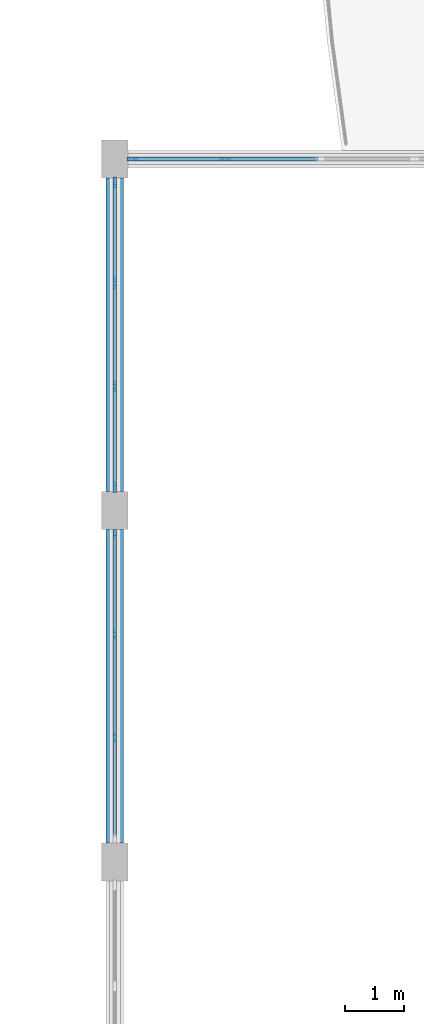
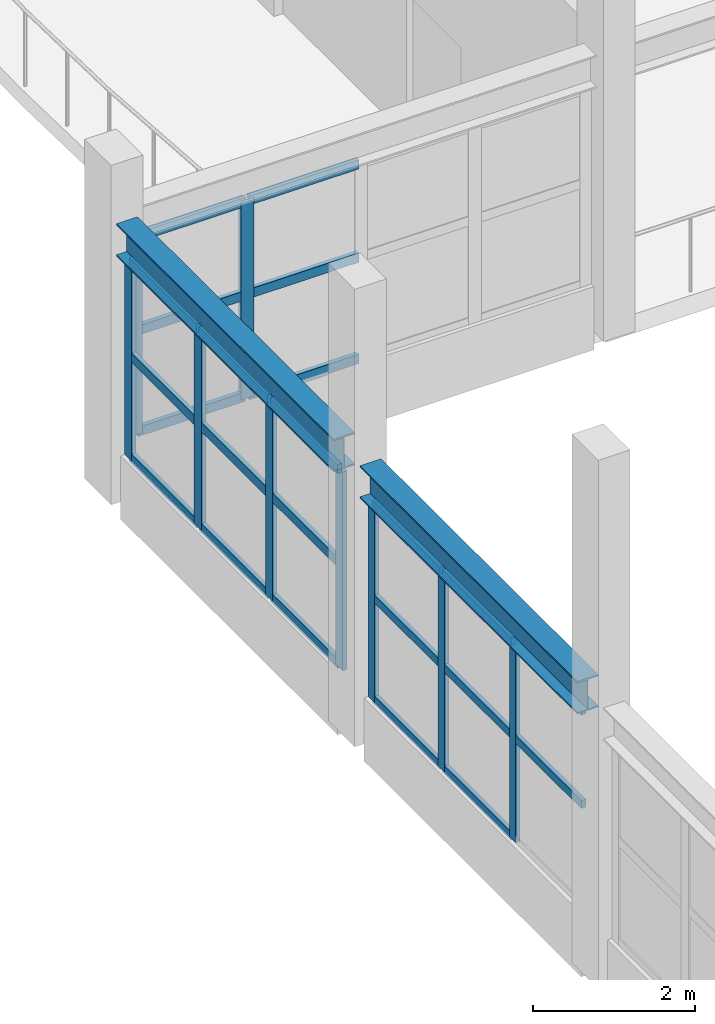
# One storey, part 13 of 89: 32 members, 2 beams, 3 elements without a shape of their own.
"""IFC4 building model written with IfcOpenShell, lengths in metres."""

from ifc_helpers import new_model, si_unit, direction, frame, origin, origin_2d, place, context, subcontext, project, spatial, rectangle, i_section, extrude, material, layer, layer_set, material_profile, profile_set, type_object, element, aggregate, save


model = new_model("IFC4")

# Units and contexts
model_context = context("Model", 3, precision=1e-05, world=origin(), true_north=direction((0.0, 1.0)))
body_context = subcontext(model_context, "Body", "Model", "MODEL_VIEW")
ifc_project = project(units=[si_unit("LENGTHUNIT", "METRE"), si_unit("AREAUNIT", "SQUARE_METRE"), si_unit("VOLUMEUNIT", "CUBIC_METRE"), si_unit("PLANEANGLEUNIT", "RADIAN"), si_unit("MASSUNIT", "GRAM", prefix="KILO")], contexts=[model_context])

# Site, building, storey
site_placement = place(None, origin())
site = spatial("IfcSite", under=ifc_project, at=site_placement, CompositionType="ELEMENT")
building_placement = place(site_placement, origin())
building = spatial("IfcBuilding", under=site, at=building_placement, Name="Tonlespit Floodbar School", CompositionType="ELEMENT")
storey_placement = place(building_placement, frame((0.0, 0.0, 4.5)))
storey = spatial("IfcBuildingStorey", under=building, at=storey_placement, Name="L01", CompositionType="ELEMENT", Elevation=4.5)

# Curtain wall, members
ifc_material_1 = material(Name="Anodised Aluminium", Category="aluminium")
ifc_layer_1 = layer(ifc_material_1, 0.159912109375)
ifc_layer_set_1 = layer_set([ifc_layer_1], Name="Anodised Aluminium")
curtain_wall_type_1 = type_object("IfcCurtainWallType", Name="CurtainWall_5250x3000", PredefinedType="NOTDEFINED", material=ifc_layer_set_1)
curtain_wall_1_placement = place(storey_placement, origin())
curtain_wall_1 = element("IfcCurtainWall", 1, at=curtain_wall_1_placement, inside=storey, type_object=curtain_wall_type_1, Name="L01 unitised curtain wall 0322", PredefinedType="NOTDEFINED")
ifc_material_profile_1 = material_profile(ifc_material_1, rectangle(XDim=0.06494140625, YDim=0.14990234375, at=origin_2d()), Name="ALU M65x150")
ifc_profile_set_1 = profile_set([ifc_material_profile_1], Name="Anodised Aluminium")
member_type_1 = type_object("IfcMemberType", Name="CW_Mullion_65x150", PredefinedType="MULLION", material=ifc_profile_set_1)
member_1_placement = place(storey_placement, frame((127.0, 46.12158203125, 0.68994140625), z_axis=(0.0, 0.0, 1.0), x_axis=(-1.0, 0.0, 0.0)))
member_1 = element("IfcMember", 2, at=member_1_placement, type_object=member_type_1, Name="CW-50 mullion 2", PredefinedType="MULLION", context=body_context, shape_type="SweptSolid", body=[
    extrude(rectangle(XDim=0.06494140625, YDim=0.14990234375, at=origin_2d()), origin(), (0.0, 0.0, 1.0), 2.989990234375),
])
member_2_placement = place(storey_placement, frame((127.0, 47.87841796875, 0.68994140625), z_axis=(0.0, 0.0, 1.0), x_axis=(-1.0, 0.0, 0.0)))
member_2 = element("IfcMember", 3, at=member_2_placement, type_object=member_type_1, Name="CW-50 mullion 3", PredefinedType="MULLION", context=body_context, shape_type="SweptSolid", body=[
    extrude(rectangle(XDim=0.06494140625, YDim=0.14990234375, at=origin_2d()), origin(), (0.0, 0.0, 1.0), 2.989990234375),
])
member_3_placement = place(storey_placement, frame((127.0, 49.6025390625, 0.68994140625), z_axis=(0.0, 0.0, 1.0), x_axis=(-1.0, 0.0, 0.0)))
member_3 = element("IfcMember", 4, at=member_3_placement, type_object=member_type_1, Name="CW-50 mullion 4", PredefinedType="MULLION", context=body_context, shape_type="SweptSolid", body=[
    extrude(rectangle(XDim=0.06494140625, YDim=0.14990234375, at=origin_2d()), origin(), (0.0, 0.0, 1.0), 2.989990234375),
])

curtain_wall_2_placement = place(storey_placement, origin())
curtain_wall_2 = element("IfcCurtainWall", 5, at=curtain_wall_2_placement, inside=storey, type_object=curtain_wall_type_1, Name="L01 unitised curtain wall 0323", PredefinedType="NOTDEFINED")
ifc_material_profile_2 = material_profile(ifc_material_1, rectangle(XDim=0.06494140625, YDim=0.179931640625, at=origin_2d()), Name="ALU M65x180")
ifc_profile_set_2 = profile_set([ifc_material_profile_2], Name="Anodised Aluminium")
member_type_2 = type_object("IfcMemberType", Name="CW_Mullion_65x180", PredefinedType="MULLION", material=ifc_profile_set_2)
member_4_placement = place(storey_placement, frame((127.0, 50.3974609375, 0.68994140625), z_axis=(0.0, 0.0, 1.0), x_axis=(-1.0, 0.0, 0.0)))
member_4 = element("IfcMember", 6, at=member_4_placement, type_object=member_type_2, Name="CW-50 mullion 1", PredefinedType="MULLION", context=body_context, shape_type="SweptSolid", body=[
    extrude(rectangle(XDim=0.06494140625, YDim=0.179931640625, at=origin_2d()), origin(), (0.0, 0.0, 1.0), 2.989990234375),
])
member_5_placement = place(storey_placement, frame((127.0, 52.12158203125, 0.68994140625), z_axis=(0.0, 0.0, 1.0), x_axis=(-1.0, 0.0, 0.0)))
member_5 = element("IfcMember", 7, at=member_5_placement, type_object=member_type_2, Name="CW-50 mullion 2", PredefinedType="MULLION", context=body_context, shape_type="SweptSolid", body=[
    extrude(rectangle(XDim=0.06494140625, YDim=0.179931640625, at=origin_2d()), origin(), (0.0, 0.0, 1.0), 2.989990234375),
])
member_6_placement = place(storey_placement, frame((127.0, 53.87841796875, 0.68994140625), z_axis=(0.0, 0.0, 1.0), x_axis=(-1.0, 0.0, 0.0)))
member_6 = element("IfcMember", 8, at=member_6_placement, type_object=member_type_2, Name="CW-50 mullion 3", PredefinedType="MULLION", context=body_context, shape_type="SweptSolid", body=[
    extrude(rectangle(XDim=0.06494140625, YDim=0.179931640625, at=origin_2d()), origin(), (0.0, 0.0, 1.0), 2.989990234375),
])
member_7_placement = place(storey_placement, frame((127.0, 55.6025390625, 0.68994140625), z_axis=(0.0, 0.0, 1.0), x_axis=(-1.0, 0.0, 0.0)))
member_7 = element("IfcMember", 9, at=member_7_placement, type_object=member_type_2, Name="CW-50 mullion 4", PredefinedType="MULLION", context=body_context, shape_type="SweptSolid", body=[
    extrude(rectangle(XDim=0.06494140625, YDim=0.179931640625, at=origin_2d()), origin(), (0.0, 0.0, 1.0), 2.989990234375),
])

ifc_layer_2 = layer(ifc_material_1, 0.159912109375)
ifc_layer_set_2 = layer_set([ifc_layer_2], Name="Anodised Aluminium")
curtain_wall_type_2 = type_object("IfcCurtainWallType", Name="CurtainWall_6450x3000", PredefinedType="NOTDEFINED", material=ifc_layer_set_2)
curtain_wall_3_placement = place(storey_placement, origin())
curtain_wall_3 = element("IfcCurtainWall", 10, at=curtain_wall_3_placement, inside=storey, type_object=curtain_wall_type_2, Name="L01 unitised curtain wall 0331", PredefinedType="NOTDEFINED")
member_8_placement = place(storey_placement, frame((127.297607421875, 56.0, 0.68994140625), z_axis=(0.0, 0.0, 1.0), x_axis=(0.0, 1.0, 0.0)))
member_8 = element("IfcMember", 11, at=member_8_placement, type_object=member_type_2, Name="CW-49 mullion 1", PredefinedType="MULLION", context=body_context, shape_type="SweptSolid", body=[
    extrude(rectangle(XDim=0.06494140625, YDim=0.179931640625, at=origin_2d()), origin(), (0.0, 0.0, 1.0), 2.989990234375),
])
member_9_placement = place(storey_placement, frame((128.882568359375, 56.0, 0.68994140625), z_axis=(0.0, 0.0, 1.0), x_axis=(0.0, 1.0, 0.0)))
member_9 = element("IfcMember", 12, at=member_9_placement, type_object=member_type_2, Name="CW-49 mullion 2", PredefinedType="MULLION", context=body_context, shape_type="SweptSolid", body=[
    extrude(rectangle(XDim=0.06494140625, YDim=0.179931640625, at=origin_2d()), origin(), (0.0, 0.0, 1.0), 2.989990234375),
])

# Member
ifc_material_profile_3 = material_profile(ifc_material_1, rectangle(XDim=0.06494140625, YDim=0.1201171875, at=origin_2d()), Name="ALU T65x120")
ifc_profile_set_3 = profile_set([ifc_material_profile_3], Name="Anodised Aluminium")
member_type_3 = type_object("IfcMemberType", Name="CW_Transom_65x120", PredefinedType="USERDEFINED", material=ifc_profile_set_3)
member_10_placement = place(storey_placement, frame((127.0, 44.429931640625, 2.244873046875), z_axis=(0.0, 1.0, 0.0), x_axis=(-1.0, 0.0, 0.0)))
member_10 = element("IfcMember", 13, at=member_10_placement, type_object=member_type_3, Name="CW-50 transom 1.2", ObjectType="TRANSOM", PredefinedType="USERDEFINED", context=body_context, shape_type="SweptSolid", body=[
    extrude(rectangle(XDim=0.06494140625, YDim=0.1201171875, at=origin_2d()), origin(), (0.0, 0.0, 1.0), 1.6591796875),
])

member_11_placement = place(storey_placement, frame((127.0, 44.429931640625, 3.6474609375), z_axis=(0.0, 1.0, 0.0), x_axis=(-1.0, 0.0, 0.0)))
member_11 = element("IfcMember", 14, at=member_11_placement, type_object=member_type_3, Name="CW-50 transom 1.3", ObjectType="TRANSOM", PredefinedType="USERDEFINED", context=body_context, shape_type="SweptSolid", body=[
    extrude(rectangle(XDim=0.06494140625, YDim=0.1201171875, at=origin_2d()), origin(), (0.0, 0.0, 1.0), 1.6591796875),
])

member_12_placement = place(storey_placement, frame((127.0, 46.154052734375, 0.722412109375), z_axis=(0.0, 1.0, 0.0), x_axis=(-1.0, 0.0, 0.0)))
member_12 = element("IfcMember", 15, at=member_12_placement, type_object=member_type_3, Name="CW-50 transom 2.1", ObjectType="TRANSOM", PredefinedType="USERDEFINED", context=body_context, shape_type="SweptSolid", body=[
    extrude(rectangle(XDim=0.06494140625, YDim=0.1201171875, at=origin_2d()), origin(), (0.0, 0.0, 1.0), 1.69189453125),
])

member_13_placement = place(storey_placement, frame((127.0, 46.154052734375, 2.244873046875), z_axis=(0.0, 1.0, 0.0), x_axis=(-1.0, 0.0, 0.0)))
member_13 = element("IfcMember", 16, at=member_13_placement, type_object=member_type_3, Name="CW-50 transom 2.2", ObjectType="TRANSOM", PredefinedType="USERDEFINED", context=body_context, shape_type="SweptSolid", body=[
    extrude(rectangle(XDim=0.06494140625, YDim=0.1201171875, at=origin_2d()), origin(), (0.0, 0.0, 1.0), 1.69189453125),
])

member_14_placement = place(storey_placement, frame((127.0, 46.154052734375, 3.6474609375), z_axis=(0.0, 1.0, 0.0), x_axis=(-1.0, 0.0, 0.0)))
member_14 = element("IfcMember", 17, at=member_14_placement, type_object=member_type_3, Name="CW-50 transom 2.3", ObjectType="TRANSOM", PredefinedType="USERDEFINED", context=body_context, shape_type="SweptSolid", body=[
    extrude(rectangle(XDim=0.06494140625, YDim=0.1201171875, at=origin_2d()), origin(), (0.0, 0.0, 1.0), 1.69189453125),
])

member_15_placement = place(storey_placement, frame((127.0, 47.910888671875, 0.722412109375), z_axis=(0.0, 1.0, 0.0), x_axis=(-1.0, 0.0, 0.0)))
member_15 = element("IfcMember", 18, at=member_15_placement, type_object=member_type_3, Name="CW-50 transom 3.1", ObjectType="TRANSOM", PredefinedType="USERDEFINED", context=body_context, shape_type="SweptSolid", body=[
    extrude(rectangle(XDim=0.06494140625, YDim=0.1201171875, at=origin_2d()), origin(), (0.0, 0.0, 1.0), 1.6591796875),
])

member_16_placement = place(storey_placement, frame((127.0, 47.910888671875, 2.244873046875), z_axis=(0.0, 1.0, 0.0), x_axis=(-1.0, 0.0, 0.0)))
member_16 = element("IfcMember", 19, at=member_16_placement, type_object=member_type_3, Name="CW-50 transom 3.2", ObjectType="TRANSOM", PredefinedType="USERDEFINED", context=body_context, shape_type="SweptSolid", body=[
    extrude(rectangle(XDim=0.06494140625, YDim=0.1201171875, at=origin_2d()), origin(), (0.0, 0.0, 1.0), 1.6591796875),
])

member_17_placement = place(storey_placement, frame((127.0, 47.910888671875, 3.6474609375), z_axis=(0.0, 1.0, 0.0), x_axis=(-1.0, 0.0, 0.0)))
member_17 = element("IfcMember", 20, at=member_17_placement, type_object=member_type_3, Name="CW-50 transom 3.3", ObjectType="TRANSOM", PredefinedType="USERDEFINED", context=body_context, shape_type="SweptSolid", body=[
    extrude(rectangle(XDim=0.06494140625, YDim=0.1201171875, at=origin_2d()), origin(), (0.0, 0.0, 1.0), 1.6591796875),
])

aggregate(curtain_wall_1, [member_1, member_2, member_3, member_10, member_11, member_12, member_13, member_14, member_15, member_16, member_17])

ifc_material_profile_4 = material_profile(ifc_material_1, rectangle(XDim=0.06494140625, YDim=0.139892578125, at=origin_2d()), Name="ALU T65x140")
ifc_profile_set_4 = profile_set([ifc_material_profile_4], Name="Anodised Aluminium")
member_type_4 = type_object("IfcMemberType", Name="CW_Transom_65x140", PredefinedType="USERDEFINED", material=ifc_profile_set_4)
member_18_placement = place(storey_placement, frame((127.0, 50.429931640625, 0.722412109375), z_axis=(0.0, 1.0, 0.0), x_axis=(-1.0, 0.0, 0.0)))
member_18 = element("IfcMember", 21, at=member_18_placement, type_object=member_type_4, Name="CW-50 transom 1.1", ObjectType="TRANSOM", PredefinedType="USERDEFINED", context=body_context, shape_type="SweptSolid", body=[
    extrude(rectangle(XDim=0.06494140625, YDim=0.139892578125, at=origin_2d()), origin(), (0.0, 0.0, 1.0), 1.6591796875),
])

member_19_placement = place(storey_placement, frame((127.0, 50.429931640625, 2.244873046875), z_axis=(0.0, 1.0, 0.0), x_axis=(-1.0, 0.0, 0.0)))
member_19 = element("IfcMember", 22, at=member_19_placement, type_object=member_type_4, Name="CW-50 transom 1.2", ObjectType="TRANSOM", PredefinedType="USERDEFINED", context=body_context, shape_type="SweptSolid", body=[
    extrude(rectangle(XDim=0.06494140625, YDim=0.139892578125, at=origin_2d()), origin(), (0.0, 0.0, 1.0), 1.6591796875),
])

member_20_placement = place(storey_placement, frame((127.0, 50.429931640625, 3.6474609375), z_axis=(0.0, 1.0, 0.0), x_axis=(-1.0, 0.0, 0.0)))
member_20 = element("IfcMember", 23, at=member_20_placement, type_object=member_type_4, Name="CW-50 transom 1.3", ObjectType="TRANSOM", PredefinedType="USERDEFINED", context=body_context, shape_type="SweptSolid", body=[
    extrude(rectangle(XDim=0.06494140625, YDim=0.139892578125, at=origin_2d()), origin(), (0.0, 0.0, 1.0), 1.6591796875),
])

member_21_placement = place(storey_placement, frame((127.0, 52.154052734375, 0.722412109375), z_axis=(0.0, 1.0, 0.0), x_axis=(-1.0, 0.0, 0.0)))
member_21 = element("IfcMember", 24, at=member_21_placement, type_object=member_type_4, Name="CW-50 transom 2.1", ObjectType="TRANSOM", PredefinedType="USERDEFINED", context=body_context, shape_type="SweptSolid", body=[
    extrude(rectangle(XDim=0.06494140625, YDim=0.139892578125, at=origin_2d()), origin(), (0.0, 0.0, 1.0), 1.69189453125),
])

member_22_placement = place(storey_placement, frame((127.0, 52.154052734375, 2.244873046875), z_axis=(0.0, 1.0, 0.0), x_axis=(-1.0, 0.0, 0.0)))
member_22 = element("IfcMember", 25, at=member_22_placement, type_object=member_type_4, Name="CW-50 transom 2.2", ObjectType="TRANSOM", PredefinedType="USERDEFINED", context=body_context, shape_type="SweptSolid", body=[
    extrude(rectangle(XDim=0.06494140625, YDim=0.139892578125, at=origin_2d()), origin(), (0.0, 0.0, 1.0), 1.69189453125),
])

member_23_placement = place(storey_placement, frame((127.0, 52.154052734375, 3.6474609375), z_axis=(0.0, 1.0, 0.0), x_axis=(-1.0, 0.0, 0.0)))
member_23 = element("IfcMember", 26, at=member_23_placement, type_object=member_type_4, Name="CW-50 transom 2.3", ObjectType="TRANSOM", PredefinedType="USERDEFINED", context=body_context, shape_type="SweptSolid", body=[
    extrude(rectangle(XDim=0.06494140625, YDim=0.139892578125, at=origin_2d()), origin(), (0.0, 0.0, 1.0), 1.69189453125),
])

member_24_placement = place(storey_placement, frame((127.0, 53.910888671875, 0.722412109375), z_axis=(0.0, 1.0, 0.0), x_axis=(-1.0, 0.0, 0.0)))
member_24 = element("IfcMember", 27, at=member_24_placement, type_object=member_type_4, Name="CW-50 transom 3.1", ObjectType="TRANSOM", PredefinedType="USERDEFINED", context=body_context, shape_type="SweptSolid", body=[
    extrude(rectangle(XDim=0.06494140625, YDim=0.139892578125, at=origin_2d()), origin(), (0.0, 0.0, 1.0), 1.6591796875),
])

member_25_placement = place(storey_placement, frame((127.0, 53.910888671875, 2.244873046875), z_axis=(0.0, 1.0, 0.0), x_axis=(-1.0, 0.0, 0.0)))
member_25 = element("IfcMember", 28, at=member_25_placement, type_object=member_type_4, Name="CW-50 transom 3.2", ObjectType="TRANSOM", PredefinedType="USERDEFINED", context=body_context, shape_type="SweptSolid", body=[
    extrude(rectangle(XDim=0.06494140625, YDim=0.139892578125, at=origin_2d()), origin(), (0.0, 0.0, 1.0), 1.6591796875),
])

member_26_placement = place(storey_placement, frame((127.0, 53.910888671875, 3.6474609375), z_axis=(0.0, 1.0, 0.0), x_axis=(-1.0, 0.0, 0.0)))
member_26 = element("IfcMember", 29, at=member_26_placement, type_object=member_type_4, Name="CW-50 transom 3.3", ObjectType="TRANSOM", PredefinedType="USERDEFINED", context=body_context, shape_type="SweptSolid", body=[
    extrude(rectangle(XDim=0.06494140625, YDim=0.139892578125, at=origin_2d()), origin(), (0.0, 0.0, 1.0), 1.6591796875),
])

aggregate(curtain_wall_2, [member_4, member_5, member_6, member_7, member_18, member_19, member_20, member_21, member_22, member_23, member_24, member_25, member_26])

member_27_placement = place(storey_placement, frame((127.330078125, 56.0, 0.722412109375), z_axis=(1.0, 0.0, 0.0), x_axis=(0.0, 1.0, 0.0)))
member_27 = element("IfcMember", 30, at=member_27_placement, type_object=member_type_4, Name="CW-49 transom 1.1", ObjectType="TRANSOM", PredefinedType="USERDEFINED", context=body_context, shape_type="SweptSolid", body=[
    extrude(rectangle(XDim=0.06494140625, YDim=0.139892578125, at=origin_2d()), origin(), (0.0, 0.0, 1.0), 1.52001953125),
])

member_28_placement = place(storey_placement, frame((127.330078125, 56.0, 2.244873046875), z_axis=(1.0, 0.0, 0.0), x_axis=(0.0, 1.0, 0.0)))
member_28 = element("IfcMember", 31, at=member_28_placement, type_object=member_type_4, Name="CW-49 transom 1.2", ObjectType="TRANSOM", PredefinedType="USERDEFINED", context=body_context, shape_type="SweptSolid", body=[
    extrude(rectangle(XDim=0.06494140625, YDim=0.139892578125, at=origin_2d()), origin(), (0.0, 0.0, 1.0), 1.52001953125),
])

member_29_placement = place(storey_placement, frame((127.330078125, 56.0, 3.6474609375), z_axis=(1.0, 0.0, 0.0), x_axis=(0.0, 1.0, 0.0)))
member_29 = element("IfcMember", 32, at=member_29_placement, type_object=member_type_4, Name="CW-49 transom 1.3", ObjectType="TRANSOM", PredefinedType="USERDEFINED", context=body_context, shape_type="SweptSolid", body=[
    extrude(rectangle(XDim=0.06494140625, YDim=0.139892578125, at=origin_2d()), origin(), (0.0, 0.0, 1.0), 1.52001953125),
])

member_30_placement = place(storey_placement, frame((128.9150390625, 56.0, 0.722412109375), z_axis=(1.0, 0.0, 0.0), x_axis=(0.0, 1.0, 0.0)))
member_30 = element("IfcMember", 33, at=member_30_placement, type_object=member_type_4, Name="CW-49 transom 2.1", ObjectType="TRANSOM", PredefinedType="USERDEFINED", context=body_context, shape_type="SweptSolid", body=[
    extrude(rectangle(XDim=0.06494140625, YDim=0.139892578125, at=origin_2d()), origin(), (0.0, 0.0, 1.0), 1.552490234375),
])

member_31_placement = place(storey_placement, frame((128.9150390625, 56.0, 2.244873046875), z_axis=(1.0, 0.0, 0.0), x_axis=(0.0, 1.0, 0.0)))
member_31 = element("IfcMember", 34, at=member_31_placement, type_object=member_type_4, Name="CW-49 transom 2.2", ObjectType="TRANSOM", PredefinedType="USERDEFINED", context=body_context, shape_type="SweptSolid", body=[
    extrude(rectangle(XDim=0.06494140625, YDim=0.139892578125, at=origin_2d()), origin(), (0.0, 0.0, 1.0), 1.552490234375),
])

member_32_placement = place(storey_placement, frame((128.9150390625, 56.0, 3.6474609375), z_axis=(1.0, 0.0, 0.0), x_axis=(0.0, 1.0, 0.0)))
member_32 = element("IfcMember", 35, at=member_32_placement, type_object=member_type_4, Name="CW-49 transom 2.3", ObjectType="TRANSOM", PredefinedType="USERDEFINED", context=body_context, shape_type="SweptSolid", body=[
    extrude(rectangle(XDim=0.06494140625, YDim=0.139892578125, at=origin_2d()), origin(), (0.0, 0.0, 1.0), 1.552490234375),
])

aggregate(curtain_wall_3, [member_8, member_9, member_27, member_28, member_29, member_30, member_31, member_32])

# Beams
ifc_material_2 = material(Name="Steel S355", Category="steel")
ifc_material_profile_5 = material_profile(ifc_material_2, i_section(OverallWidth=0.300048828125, OverallDepth=0.489990234375, WebThickness=0.011962890625, FlangeThickness=0.02294921875, at=origin_2d()), Name="HEA 500")
ifc_profile_set_5 = profile_set([ifc_material_profile_5], Name="Steel S355")
beam_type = type_object("IfcBeamType", Name="RingBeam_STL_HEA500", PredefinedType="BEAM", material=ifc_profile_set_5)
for number, where, z_axis, x_axis, name in (
    (36, (127.0, 44.324951171875, 3.955078125), (0.0, 1.0, 0.0), (-1.0, 0.0, 0.0), "Gridshell perimeter ring girder X=127 bay 5"),
    (37, (127.0, 50.324951171875, 3.955078125), (0.0, 1.0, 0.0), (-1.0, 0.0, 0.0), "Gridshell perimeter ring girder X=127 bay 6"),
):
    element("IfcBeam", number, at=place(storey_placement, frame(where, z_axis=z_axis, x_axis=x_axis)), inside=storey, type_object=beam_type, Name=name, PredefinedType="BEAM", context=body_context, shape_type="SweptSolid", body=[
        extrude(i_section(OverallWidth=0.300048828125, OverallDepth=0.489990234375, WebThickness=0.011962890625, FlangeThickness=0.02294921875, at=origin_2d()), origin(), (0.0, 0.0, 1.0), 5.35009765625),
    ])

save(model, "model.ifc")
